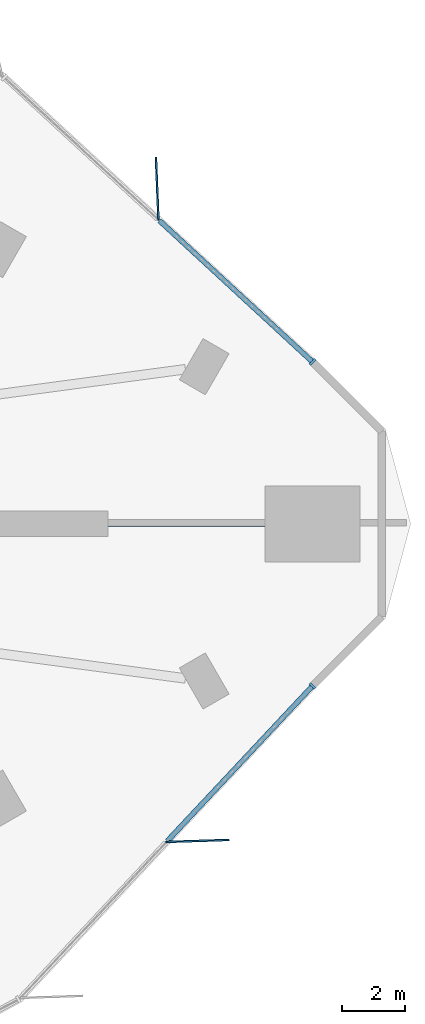
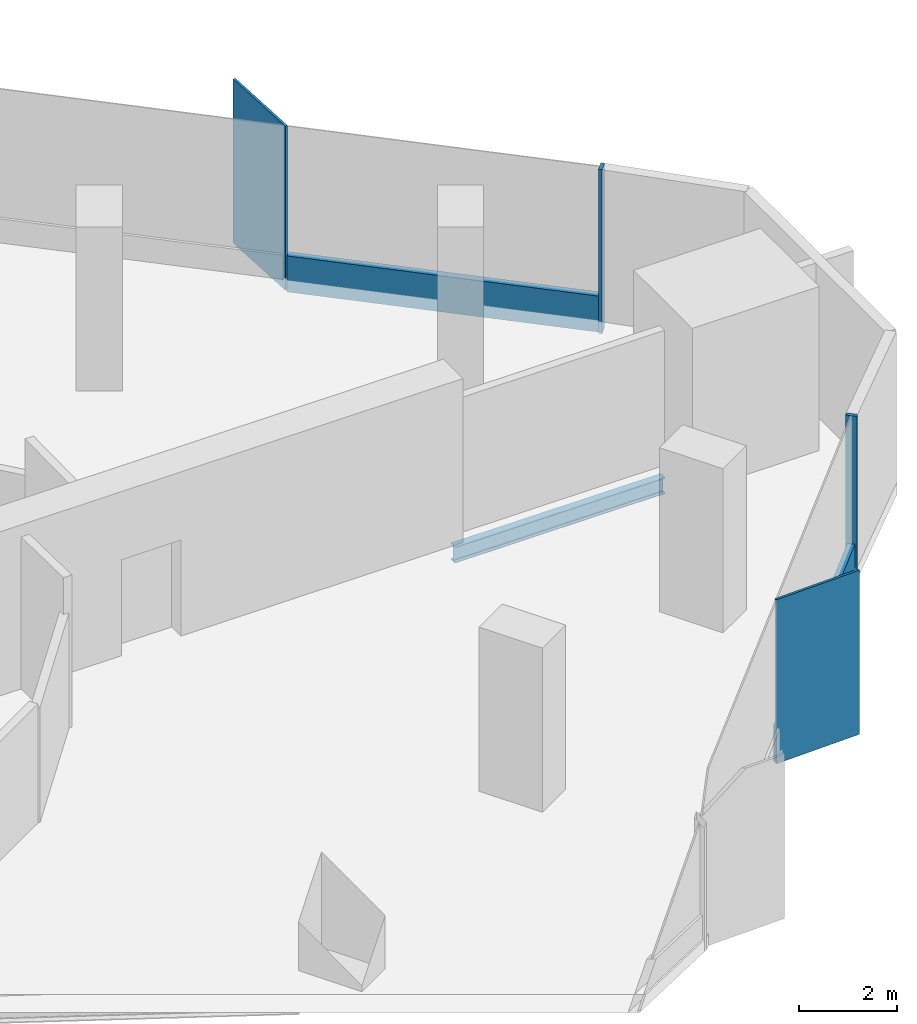
# One storey, part 6 of 14: 6 members, 1 beam, 2 elements without a shape of their own.
"""IFC4 building model written with IfcOpenShell, lengths in metres."""

import ifcopenshell
import ifcopenshell.guid

model = None  # the IFC model being written
_history = None  # IfcOwnerHistory: only IFC2X3 demands one
_inside = {}  # id of a spatial element -> (the spatial element, [elements in it])
_under = {}  # id of a project, library or spatial element -> (it, [spatial elements below it])
_declared = {}  # id of a project -> (the project, [libraries it declares])
_typed = {}  # id of a type object -> (the type object, [elements of that type])
_made_of = {}  # id of a material, layer set ... -> (it, [elements and type objects made of it])


def new_model(schema):
    """Start an empty IFC model of exactly this schema.

    Asked for "IFC4X3", IfcOpenShell would pick the latest addendum, in which some entities
    have other attributes; the version numbers below select the first issue.
    IFC2X3 requires an IfcOwnerHistory on every rooted entity: one is made here for all.
    """
    global model, _history
    if schema == "IFC4X3":
        model = ifcopenshell.file(schema_version=(4, 3, 0, 0))
    else:
        model = ifcopenshell.file(schema=schema)
    _inside.clear()
    _under.clear()
    _declared.clear()
    _typed.clear()
    _made_of.clear()
    _history = None
    if model.schema == "IFC2X3":
        org = make("IfcOrganization", Name="unknown")
        user = make(
            "IfcPersonAndOrganization",
            ThePerson=make("IfcPerson", FamilyName="unknown"),
            TheOrganization=org,
        )
        app = make(
            "IfcApplication",
            ApplicationDeveloper=org,
            Version="unknown",
            ApplicationFullName="unknown",
            ApplicationIdentifier="unknown",
        )
        _history = make(
            "IfcOwnerHistory",
            OwningUser=user,
            OwningApplication=app,
            ChangeAction="ADDED",
            CreationDate=0,
        )
    return model


def make(cls, **values):
    """One entity of the class cls with the attributes given. An attribute that is None is left unset."""
    return model.create_entity(
        cls, **{name: value for name, value in values.items() if value is not None}
    )


def rooted(cls, **values):
    """An entity with a GlobalId (a new one), such as an element, a storey or a relation."""
    return make(cls, GlobalId=ifcopenshell.guid.new(), OwnerHistory=_history, **values)


def si_unit(unit_type, name, prefix=None):
    """IfcSIUnit, for example si_unit("LENGTHUNIT", "METRE", prefix="MILLI")."""
    return make("IfcSIUnit", UnitType=unit_type, Prefix=prefix, Name=name)


def assignment(units):
    """IfcUnitAssignment: the units of a project."""
    return None if units is None else make("IfcUnitAssignment", Units=units)


def point(xyz):
    """IfcCartesianPoint."""
    return None if xyz is None else make("IfcCartesianPoint", Coordinates=xyz)


def direction(xyz):
    """IfcDirection."""
    return None if xyz is None else make("IfcDirection", DirectionRatios=xyz)


def frame(location, z_axis=None, x_axis=None):
    """IfcAxis2Placement3D, a coordinate frame: its origin and axes. An axis left out is left unset."""
    return make(
        "IfcAxis2Placement3D",
        Location=point(location),
        Axis=direction(z_axis),
        RefDirection=direction(x_axis),
    )


def frame_2d(location, x_axis=None):
    """IfcAxis2Placement2D, a coordinate frame in the plane: its origin and x axis."""
    return make(
        "IfcAxis2Placement2D", Location=point(location), RefDirection=direction(x_axis)
    )


def origin():
    """The frame at (0, 0, 0) with its axes left unset."""
    return frame((0.0, 0.0, 0.0))


def origin_2d():
    """The frame at (0, 0) in the plane with its x axis left unset."""
    return frame_2d((0.0, 0.0))


def place(relative_to, where):
    """IfcLocalPlacement: puts the frame where relative to a parent placement (None: the world)."""
    return make(
        "IfcLocalPlacement", PlacementRelTo=relative_to, RelativePlacement=where
    )


def context(
    kind, dimensions, precision=None, world=None, true_north=None, identifier=None
):
    """IfcGeometricRepresentationContext, for example the 3D "Model" context."""
    return make(
        "IfcGeometricRepresentationContext",
        ContextIdentifier=identifier,
        ContextType=kind,
        CoordinateSpaceDimension=dimensions,
        Precision=precision,
        WorldCoordinateSystem=world,
        TrueNorth=true_north,
    )


def subcontext(parent, identifier, kind, view, scale=None):
    """IfcGeometricRepresentationSubContext, for example "Body" below "Model"."""
    return make(
        "IfcGeometricRepresentationSubContext",
        ContextIdentifier=identifier,
        ContextType=kind,
        ParentContext=parent,
        TargetScale=scale,
        TargetView=view,
    )


def project(units=None, contexts=None):
    """IfcProject with its units and contexts."""
    return rooted(
        "IfcProject",
        Name="project",
        RepresentationContexts=contexts,
        UnitsInContext=assignment(units),
    )


def spatial(cls, under=None, at=None, **own):
    """A site, building, storey or space (cls), placed at a placement, below another one or the project."""
    s = rooted(cls, ObjectPlacement=at, **own)
    if under is not None:
        _under.setdefault(under.id(), (under, []))[1].append(s)
    return s


def profile(cls, at=None, kind="AREA", **sizes):
    """A parametric profile (cls). Its sizes go by their IFC names, for example OverallWidth=200.0."""
    return make(cls, ProfileType=kind, Position=at, **sizes)


def rectangle(**sizes):
    """IfcRectangleProfileDef."""
    return profile("IfcRectangleProfileDef", **sizes)


def i_section(**sizes):
    """IfcIShapeProfileDef."""
    return profile("IfcIShapeProfileDef", **sizes)


def extrude(swept, where, along, depth):
    """IfcExtrudedAreaSolid: the profile swept, set in the frame where, extruded along a direction by depth."""
    return make(
        "IfcExtrudedAreaSolid",
        SweptArea=swept,
        Position=where,
        ExtrudedDirection=direction(along),
        Depth=depth,
    )


def shape(context_of_items, identifier, shape_type, items):
    """IfcShapeRepresentation: the items that make up one representation, for example the "Body"."""
    return make(
        "IfcShapeRepresentation",
        ContextOfItems=context_of_items,
        RepresentationIdentifier=identifier,
        RepresentationType=shape_type,
        Items=items,
    )


def material(Name=None, Category=None):
    """IfcMaterial."""
    return make("IfcMaterial", Name=Name, Category=Category)


def material_profile(
    of_material, cross_section, Name=None, Category=None, Priority=None
):
    """IfcMaterialProfile: a cross section and its material."""
    return make(
        "IfcMaterialProfile",
        Name=Name,
        Material=of_material,
        Profile=cross_section,
        Priority=Priority,
        Category=Category,
    )


def profile_set(profiles, Name=None, composite=None):
    """IfcMaterialProfileSet."""
    return make(
        "IfcMaterialProfileSet",
        Name=Name,
        MaterialProfiles=profiles,
        CompositeProfile=composite,
    )


def made_of(thing, what):
    """Note that an element or type object is made of a material, layer set ...; save() writes the relation."""
    if what is not None:
        _made_of.setdefault(what.id(), (what, []))[1].append(thing)
    return thing


def type_object(cls, material=None, **own):
    """A type object (cls), such as IfcWallType, which elements share."""
    return made_of(rooted(cls, **own), material)


def element(
    cls,
    number,
    at=None,
    inside=None,
    cuts=None,
    type_object=None,
    material=None,
    context=None,
    identifier="Body",
    shape_type=None,
    held_by="IfcProductDefinitionShape",
    body=None,
    shapes=None,
    **own,
):
    """One element of the class cls, such as IfcWall. Its Tag is "e" and its number.

    at: its placement. inside: the storey or other place that contains it. cuts: it is an
    opening in that element (IfcRelVoidsElement). A single representation is given by context,
    identifier, shape_type and body (its items); several are given by shapes. held_by: the class
    of the entity that holds the representations. save() writes the other relations.
    """
    e = rooted(cls, Tag="e%d" % number, ObjectPlacement=at, **own)
    if body is not None:
        shapes = [shape(context, identifier, shape_type, body)]
    if shapes is not None:
        e.Representation = make(held_by, Representations=shapes)
    if inside is not None:
        _inside.setdefault(inside.id(), (inside, []))[1].append(e)
    if cuts is not None:
        rooted(
            "IfcRelVoidsElement", RelatingBuildingElement=cuts, RelatedOpeningElement=e
        )
    if type_object is not None:
        _typed.setdefault(type_object.id(), (type_object, []))[1].append(e)
    return made_of(e, material)


def aggregate(whole, parts):
    """IfcRelAggregates: a whole, such as a stair, and the parts it consists of."""
    return rooted("IfcRelAggregates", RelatingObject=whole, RelatedObjects=parts)


def save(model, path):
    """Write the relations noted so far, then the file.

    IfcRelAggregates (storeys below a building ...), IfcRelContainedInSpatialStructure (elements
    in a storey), IfcRelDefinesByType, IfcRelAssociatesMaterial and IfcRelDeclares: one each for
    every whole, place, type object, material and project.
    """
    for whole, parts in _under.values():
        aggregate(whole, parts)
    for where, things in _inside.values():
        rooted(
            "IfcRelContainedInSpatialStructure",
            RelatedElements=things,
            RelatingStructure=where,
        )
    for kind, things in _typed.values():
        rooted("IfcRelDefinesByType", RelatedObjects=things, RelatingType=kind)
    for what, things in _made_of.values():
        rooted("IfcRelAssociatesMaterial", RelatedObjects=things, RelatingMaterial=what)
    for by, libraries in _declared.values():
        rooted("IfcRelDeclares", RelatingContext=by, RelatedDefinitions=libraries)
    model.write(path)


model = new_model("IFC4")

# Units and contexts
model_context = context("Model", 3, precision=1e-05, world=origin(), true_north=direction((0.0, 1.0)))
body_context = subcontext(model_context, "Body", "Model", "MODEL_VIEW")
ifc_project = project(units=[si_unit("LENGTHUNIT", "METRE"), si_unit("AREAUNIT", "SQUARE_METRE"), si_unit("VOLUMEUNIT", "CUBIC_METRE"), si_unit("PLANEANGLEUNIT", "RADIAN"), si_unit("MASSUNIT", "GRAM", prefix="KILO")], contexts=[model_context])

# Site, building, storey
site_placement = place(None, origin())
site = spatial("IfcSite", under=ifc_project, at=site_placement, CompositionType="ELEMENT")
building_placement = place(site_placement, origin())
building = spatial("IfcBuilding", under=site, at=building_placement, Name="Tanit Gate Tower", CompositionType="ELEMENT")
storey_placement = place(building_placement, frame((0.0, 0.0, 127.5)))
storey = spatial("IfcBuildingStorey", under=building, at=storey_placement, Name="L27", CompositionType="ELEMENT", Elevation=127.5)

# Curtain wall, member
ifc_material_1 = material(Name="Aluminium bronze anodised and glass", Category="aluminium")
curtain_wall_type = type_object("IfcCurtainWallType", Name="Curtain wall typical low", PredefinedType="NOTDEFINED", material=ifc_material_1)
curtain_wall_1_placement = place(storey_placement, origin())
curtain_wall_1 = element("IfcCurtainWall", 1, at=curtain_wall_1_placement, inside=storey, type_object=curtain_wall_type, Name="Curtain wall L27 NE1", PredefinedType="NOTDEFINED")
ifc_material_2 = material(Name="Aluminium bronze anodised", Category="aluminium")
ifc_material_profile_1 = material_profile(ifc_material_2, rectangle(XDim=2.0, YDim=0.055908203125, at=origin_2d()), Name="56x2000 bronze fin mullion")
ifc_profile_set_1 = profile_set([ifc_material_profile_1], Name="Aluminium bronze anodised")
member_type_1 = type_object("IfcMemberType", Name="FIN MULLION 56x2000 bronze", PredefinedType="MULLION", material=ifc_profile_set_1)
member_1_placement = place(storey_placement, frame((35.520263671875, 10.579833984375, -0.300048828125), z_axis=(0.0, 0.0, 1.0), x_axis=(0.04032571996, -0.999186587335, 0.0)))
member_1 = element("IfcMember", 2, at=member_1_placement, type_object=member_type_1, Name="Fin mullion L27 NE1.2", PredefinedType="MULLION", context=body_context, shape_type="SweptSolid", body=[
    extrude(rectangle(XDim=2.0, YDim=0.055908203125, at=origin_2d()), origin(), (0.0, 0.0, 1.0), 4.10009765625),
])

curtain_wall_2_placement = place(storey_placement, origin())
curtain_wall_2 = element("IfcCurtainWall", 3, at=curtain_wall_2_placement, inside=storey, type_object=curtain_wall_type, Name="Curtain wall L27 SE3", PredefinedType="NOTDEFINED")
member_2_placement = place(storey_placement, frame((36.78857421875, -10.013427734375, -0.300048828125), z_axis=(0.0, 0.0, 1.0), x_axis=(-0.999463890821, -0.032740356511, 0.0)))
member_2 = element("IfcMember", 4, at=member_2_placement, type_object=member_type_1, Name="Fin mullion L27 SE3.2", PredefinedType="MULLION", context=body_context, shape_type="SweptSolid", body=[
    extrude(rectangle(XDim=2.0, YDim=0.055908203125, at=origin_2d()), origin(), (0.0, 0.0, 1.0), 4.10009765625),
])

# Member
ifc_material_3 = material(Name="Aluminium bronze anodised", Category="aluminium")
ifc_material_profile_2 = material_profile(ifc_material_3, rectangle(XDim=0.239990234375, YDim=0.080078125, at=origin_2d()), Name="80x240 bronze mullion")
ifc_profile_set_2 = profile_set([ifc_material_profile_2], Name="Aluminium bronze anodised")
member_type_2 = type_object("IfcMemberType", Name="Mullion 80x240 typical low", PredefinedType="MULLION", material=ifc_profile_set_2)
member_3_placement = place(storey_placement, frame((40.425537109375, 5.114990234375, -0.300048828125), z_axis=(0.0, 0.0, 1.0), x_axis=(-0.678017021535, -0.735046201615, 0.0)))
member_3 = element("IfcMember", 5, at=member_3_placement, type_object=member_type_2, Name="Mullion L27 NE1.1", PredefinedType="MULLION", context=body_context, shape_type="SweptSolid", body=[
    extrude(rectangle(XDim=0.239990234375, YDim=0.080078125, at=origin_2d()), origin(), (0.0, 0.0, 1.0), 4.10009765625),
])

member_4_placement = place(storey_placement, frame((40.42431640625, -5.1201171875, -0.300048828125), z_axis=(0.0, 0.0, 1.0), x_axis=(-0.729878622858, 0.683576766643, 0.0)))
member_4 = element("IfcMember", 6, at=member_4_placement, type_object=member_type_2, Name="Mullion L27 SE3.3", PredefinedType="MULLION", context=body_context, shape_type="SweptSolid", body=[
    extrude(rectangle(XDim=0.239990234375, YDim=0.080078125, at=origin_2d()), origin(), (0.0, 0.0, 1.0), 4.10009765625),
])

# Beam
ifc_material_4 = material(Name="Steel S355", Category="steel")
ifc_material_profile_3 = material_profile(ifc_material_4, i_section(OverallWidth=0.179931640625, OverallDepth=0.39990234375, WebThickness=0.008544921875, FlangeThickness=0.013427734375, FilletRadius=0.02099609375, at=origin_2d()), Name="IPE 400")
ifc_profile_set_3 = profile_set([ifc_material_profile_3], Name="Steel S355")
beam_type = type_object("IfcBeamType", Name="RADIAL GIRDER IPE 400 S355", PredefinedType="BEAM", material=ifc_profile_set_3)
beam_placement = place(storey_placement, frame((38.92529296875, 0.0, -0.5), z_axis=(-1.0, 0.0, 0.0), x_axis=(0.0, -1.0, 0.0)))
element("IfcBeam", 7, at=beam_placement, inside=storey, type_object=beam_type, Name="RADIAL GIRDER", PredefinedType="BEAM", context=body_context, shape_type="SweptSolid", body=[
    extrude(i_section(OverallWidth=0.179931640625, OverallDepth=0.39990234375, WebThickness=0.008544921875, FlangeThickness=0.013427734375, FilletRadius=0.02099609375, at=origin_2d()), origin(), (0.0, 0.0, 1.0), 4.962890625),
])

# Member
ifc_material_5 = material(Name="Aluminium bronze anodised", Category="aluminium")
ifc_material_profile_4 = material_profile(ifc_material_5, rectangle(XDim=0.159912109375, YDim=0.89990234375, at=origin_2d()), Name="160x900 bronze transom")
ifc_profile_set_4 = profile_set([ifc_material_profile_4], Name="Aluminium bronze anodised")
member_type_3 = type_object("IfcMemberType", Name="Transom 160x900 typical low", PredefinedType="USERDEFINED", material=ifc_profile_set_4)
member_5_placement = place(storey_placement, frame((40.39599609375, 5.14208984375, 0.14990234375), z_axis=(-0.735035267358, 0.678028875299, 0.0), x_axis=(-0.678028875299, -0.735035267358, 0.0)))
member_5 = element("IfcMember", 8, at=member_5_placement, type_object=member_type_3, Name="Transom L27 NE1.1", ObjectType="TRANSOM", PredefinedType="USERDEFINED", context=body_context, shape_type="SweptSolid", body=[
    extrude(rectangle(XDim=0.159912109375, YDim=0.89990234375, at=origin_2d()), origin(), (0.0, 0.0, 1.0), 6.53955078125),
])

aggregate(curtain_wall_1, [member_3, member_1, member_5])

member_6_placement = place(storey_placement, frame((35.839111328125, -10.01611328125, 0.14990234375), z_axis=(0.683568341498, 0.72988651344, 0.0), x_axis=(-0.72988651344, 0.683568341498, 0.0)))
member_6 = element("IfcMember", 9, at=member_6_placement, type_object=member_type_3, Name="Transom L27 SE3.2", ObjectType="TRANSOM", PredefinedType="USERDEFINED", context=body_context, shape_type="SweptSolid", body=[
    extrude(rectangle(XDim=0.159912109375, YDim=0.89990234375, at=origin_2d()), origin(), (0.0, 0.0, 1.0), 6.667724609375),
])

aggregate(curtain_wall_2, [member_2, member_4, member_6])

save(model, "model.ifc")
